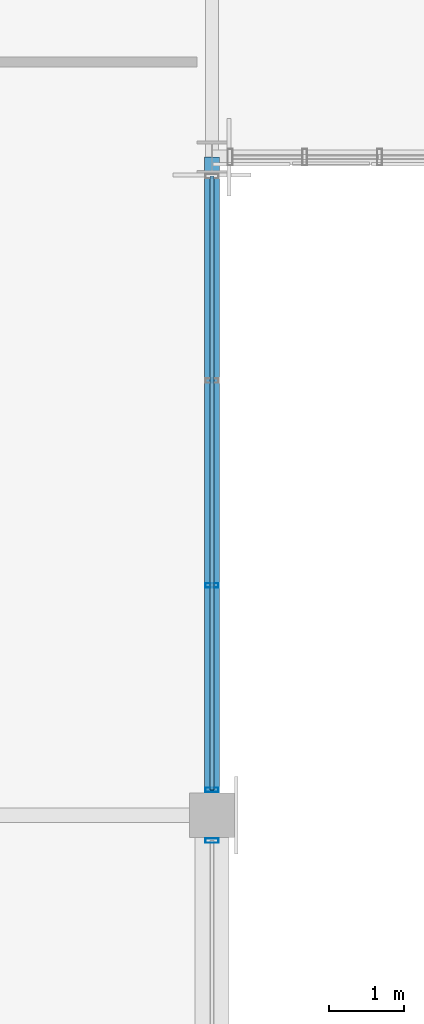
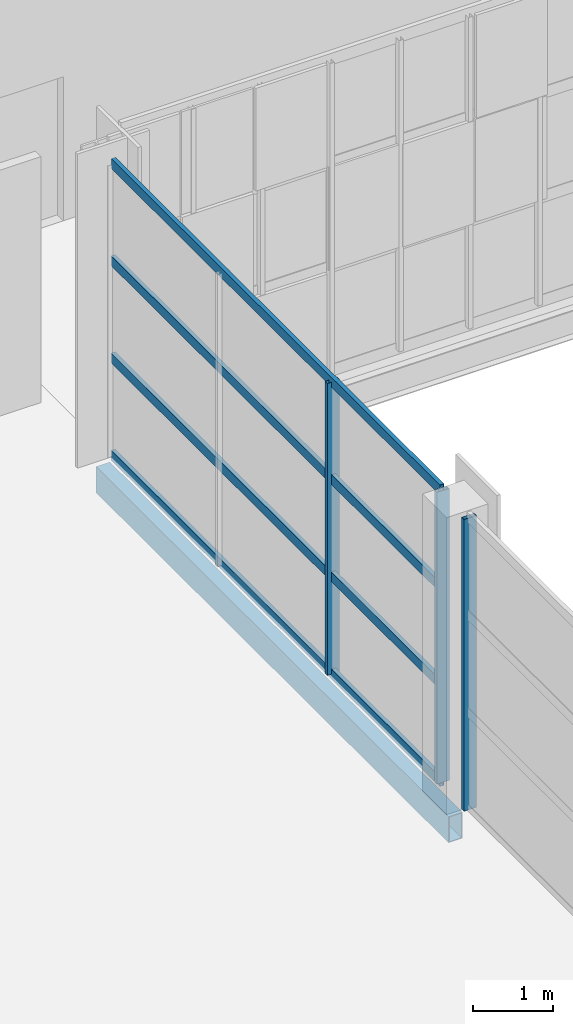
# One storey, part 11 of 46: 7 members, 1 beam, 2 elements without a shape of their own.
"""IFC4 building model written with IfcOpenShell, lengths in metres."""

from ifc_helpers import new_model, si_unit, direction, frame, origin, origin_2d, place, context, subcontext, project, spatial, hollow_rectangle, extrude, material, material_profile, profile_set, type_object, element, aggregate, save


model = new_model("IFC4")

# Units and contexts
model_context = context("Model", 3, precision=1e-05, world=origin(), true_north=direction((0.0, 1.0)))
body_context = subcontext(model_context, "Body", "Model", "MODEL_VIEW")
ifc_project = project(units=[si_unit("LENGTHUNIT", "METRE"), si_unit("AREAUNIT", "SQUARE_METRE"), si_unit("VOLUMEUNIT", "CUBIC_METRE"), si_unit("PLANEANGLEUNIT", "RADIAN"), si_unit("MASSUNIT", "GRAM", prefix="KILO")], contexts=[model_context])

# Site, building, storey
site_placement = place(None, origin())
site = spatial("IfcSite", under=ifc_project, at=site_placement, CompositionType="ELEMENT")
building_placement = place(site_placement, origin())
building = spatial("IfcBuilding", under=site, at=building_placement, Name="Solvikara Media Centre", CompositionType="ELEMENT")
storey_placement = place(building_placement, frame((0.0, 0.0, 24.60009765625)))
storey = spatial("IfcBuildingStorey", under=building, at=storey_placement, Name="L05", CompositionType="ELEMENT", Elevation=24.60009765625)

# Beam
ifc_material_1 = material(Name="Steel S355JR", Category="steel")
ifc_material_profile_1 = material_profile(ifc_material_1, hollow_rectangle(XDim=0.199951171875, YDim=0.39990234375, WallThickness=0.011962890625, at=origin_2d()), Name="RHS 400x200x12")
ifc_profile_set_1 = profile_set([ifc_material_profile_1], Name="Steel S355JR")
beam_type = type_object("IfcBeamType", Name="BM-33", PredefinedType="SPANDREL", material=ifc_profile_set_1)
beam_placement = place(storey_placement, frame((68.0, 10.5, -0.482177734375), z_axis=(0.0, 1.0, 0.0), x_axis=(-1.0, 0.0, 0.0)))
element("IfcBeam", 1, at=beam_placement, inside=storey, type_object=beam_type, Name="B-L05-Y1665", PredefinedType="SPANDREL", context=body_context, shape_type="SweptSolid", body=[
    extrude(hollow_rectangle(XDim=0.199951171875, YDim=0.39990234375, WallThickness=0.011962890625, at=origin_2d()), origin(), (0.0, 0.0, 1.0), 8.823974609375),
])

# Curtain wall, member
ifc_material_2 = material(Name="Anodised aluminium EN AW-6063", Category="aluminium")
curtain_wall_type = type_object("IfcCurtainWallType", Name="CW-09", PredefinedType="NOTDEFINED", material=ifc_material_2)
curtain_wall_1_placement = place(storey_placement, origin())
curtain_wall_1 = element("IfcCurtainWall", 2, at=curtain_wall_1_placement, inside=storey, type_object=curtain_wall_type, Name="CW-L05-V6E-S1", PredefinedType="NOTDEFINED")
ifc_material_profile_2 = material_profile(ifc_material_2, hollow_rectangle(XDim=0.06005859375, YDim=0.179931640625, WallThickness=0.00341796875, at=origin_2d()), Name="ALU-M 60x180x3.5")
ifc_profile_set_2 = profile_set([ifc_material_profile_2], Name="Anodised aluminium EN AW-6063")
member_type_1 = type_object("IfcMemberType", Name="MF-03", PredefinedType="MULLION", material=ifc_profile_set_2)
member_1_placement = place(storey_placement, frame((68.0, 10.159912109375, 0.02001953125), z_axis=(0.0, 0.0, 1.0), x_axis=(0.0, 1.0, 0.0)))
member_1 = element("IfcMember", 3, at=member_1_placement, type_object=member_type_1, Name="CW-L05-V6E-S1-M03", PredefinedType="MULLION", context=body_context, shape_type="SweptSolid", body=[
    extrude(hollow_rectangle(XDim=0.06005859375, YDim=0.179931640625, WallThickness=0.00341796875, at=origin_2d()), origin(), (0.0, 0.0, 1.0), 4.4599609375),
])
aggregate(curtain_wall_1, [member_1])

# Curtain wall, members
curtain_wall_2_placement = place(storey_placement, origin())
curtain_wall_2 = element("IfcCurtainWall", 4, at=curtain_wall_2_placement, inside=storey, type_object=curtain_wall_type, Name="CW-L05-V6E-S2", PredefinedType="NOTDEFINED")
member_2_placement = place(storey_placement, frame((68.0, 10.840087890625, 0.02001953125), z_axis=(0.0, 0.0, 1.0), x_axis=(0.0, 1.0, 0.0)))
member_2 = element("IfcMember", 5, at=member_2_placement, type_object=member_type_1, Name="CW-L05-V6E-S2-M00", PredefinedType="MULLION", context=body_context, shape_type="SweptSolid", body=[
    extrude(hollow_rectangle(XDim=0.06005859375, YDim=0.179931640625, WallThickness=0.00341796875, at=origin_2d()), origin(), (0.0, 0.0, 1.0), 4.4599609375),
])
member_3_placement = place(storey_placement, frame((68.0, 13.5830078125, 0.02001953125), z_axis=(0.0, 0.0, 1.0), x_axis=(0.0, 1.0, 0.0)))
member_3 = element("IfcMember", 6, at=member_3_placement, type_object=member_type_1, Name="CW-L05-V6E-S2-M01", PredefinedType="MULLION", context=body_context, shape_type="SweptSolid", body=[
    extrude(hollow_rectangle(XDim=0.06005859375, YDim=0.179931640625, WallThickness=0.00341796875, at=origin_2d()), origin(), (0.0, 0.0, 1.0), 4.4599609375),
])
ifc_material_profile_3 = material_profile(ifc_material_2, hollow_rectangle(XDim=0.06005859375, YDim=0.14990234375, WallThickness=0.0029296875, at=origin_2d()), Name="ALU-T 60x150x3")
ifc_profile_set_3 = profile_set([ifc_material_profile_3], Name="Anodised aluminium EN AW-6063")
member_type_2 = type_object("IfcMemberType", Name="MF-09", PredefinedType="USERDEFINED", material=ifc_profile_set_3)
member_4_placement = place(storey_placement, frame((68.0, 10.840087890625, 0.02001953125), z_axis=(0.0, 1.0, 0.0), x_axis=(-1.0, 0.0, 0.0)))
member_4 = element("IfcMember", 7, at=member_4_placement, type_object=member_type_2, Name="CW-L05-V6E-S2-T00", ObjectType="TRANSOM", PredefinedType="USERDEFINED", context=body_context, shape_type="SweptSolid", body=[
    extrude(hollow_rectangle(XDim=0.06005859375, YDim=0.14990234375, WallThickness=0.0029296875, at=origin_2d()), origin(), (0.0, 0.0, 1.0), 8.22998046875),
])
member_5_placement = place(storey_placement, frame((68.0, 10.840087890625, 1.5068359375), z_axis=(0.0, 1.0, 0.0), x_axis=(-1.0, 0.0, 0.0)))
member_5 = element("IfcMember", 8, at=member_5_placement, type_object=member_type_2, Name="CW-L05-V6E-S2-T01", ObjectType="TRANSOM", PredefinedType="USERDEFINED", context=body_context, shape_type="SweptSolid", body=[
    extrude(hollow_rectangle(XDim=0.06005859375, YDim=0.14990234375, WallThickness=0.0029296875, at=origin_2d()), origin(), (0.0, 0.0, 1.0), 8.22998046875),
])
member_6_placement = place(storey_placement, frame((68.0, 10.840087890625, 2.992919921875), z_axis=(0.0, 1.0, 0.0), x_axis=(-1.0, 0.0, 0.0)))
member_6 = element("IfcMember", 9, at=member_6_placement, type_object=member_type_2, Name="CW-L05-V6E-S2-T02", ObjectType="TRANSOM", PredefinedType="USERDEFINED", context=body_context, shape_type="SweptSolid", body=[
    extrude(hollow_rectangle(XDim=0.06005859375, YDim=0.14990234375, WallThickness=0.0029296875, at=origin_2d()), origin(), (0.0, 0.0, 1.0), 8.22998046875),
])
member_7_placement = place(storey_placement, frame((68.0, 10.840087890625, 4.47998046875), z_axis=(0.0, 1.0, 0.0), x_axis=(-1.0, 0.0, 0.0)))
member_7 = element("IfcMember", 10, at=member_7_placement, type_object=member_type_2, Name="CW-L05-V6E-S2-T03", ObjectType="TRANSOM", PredefinedType="USERDEFINED", context=body_context, shape_type="SweptSolid", body=[
    extrude(hollow_rectangle(XDim=0.06005859375, YDim=0.14990234375, WallThickness=0.0029296875, at=origin_2d()), origin(), (0.0, 0.0, 1.0), 8.22998046875),
])
aggregate(curtain_wall_2, [member_2, member_3, member_4, member_5, member_6, member_7])

save(model, "model.ifc")
